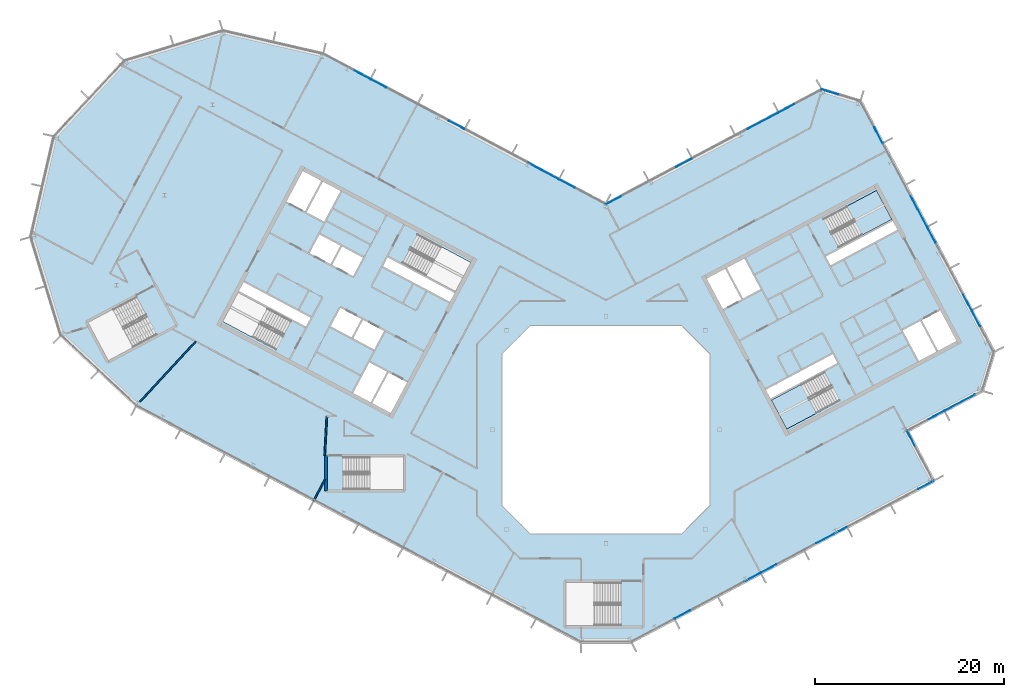
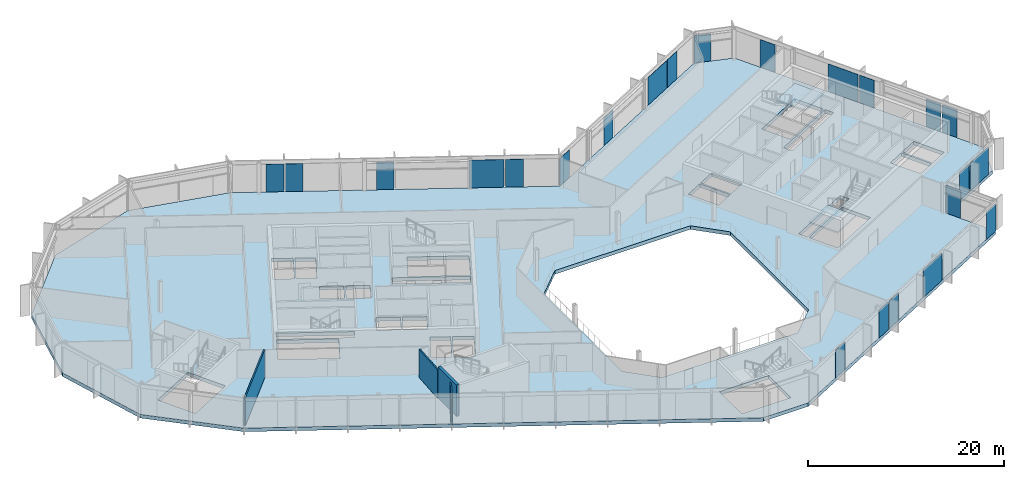
# One storey, part 12 of 26: 23 plates, 4 walls, 3 slabs, 9 elements without a shape of their own.
"""IFC4 building model written with IfcOpenShell, lengths in metres."""

from ifc_helpers import new_model, si_unit, direction, frame, frame_2d, origin, origin_2d, place, context, subcontext, project, spatial, polyline, rectangle, outline, extrude, material, layer, layer_set, type_object, element, aggregate, save


model = new_model("IFC4")

# Units and contexts
model_context = context("Model", 3, precision=1e-05, world=origin(), true_north=direction((0.0, 1.0)))
body_context = subcontext(model_context, "Body", "Model", "MODEL_VIEW")
ifc_project = project(units=[si_unit("LENGTHUNIT", "METRE"), si_unit("AREAUNIT", "SQUARE_METRE"), si_unit("VOLUMEUNIT", "CUBIC_METRE"), si_unit("PLANEANGLEUNIT", "RADIAN"), si_unit("MASSUNIT", "GRAM", prefix="KILO")], contexts=[model_context])

# Site, building, storey
site_placement = place(None, origin())
site = spatial("IfcSite", under=ifc_project, at=site_placement, CompositionType="ELEMENT")
building_placement = place(site_placement, origin())
building = spatial("IfcBuilding", under=site, at=building_placement, Name="Cormorant Relay Tower", CompositionType="ELEMENT")
storey_placement = place(building_placement, frame((0.0, 0.0, 320.39990234375)))
storey = spatial("IfcBuildingStorey", under=building, at=storey_placement, Name="L73", CompositionType="ELEMENT", Elevation=320.39990234375)

# Curtain wall, plates
ifc_material_1 = material(Name="Aluminium 6063-T6 anodised bronze", Category="aluminium")
ifc_layer_1 = layer(ifc_material_1, 0.199951171875)
ifc_layer_set_1 = layer_set([ifc_layer_1], Name="CW1 unitised bronze curtain wall with vertical fins")
curtain_wall_type = type_object("IfcCurtainWallType", Name="CW1 unitised bronze curtain wall with vertical fins", PredefinedType="NOTDEFINED", material=ifc_layer_set_1)
curtain_wall_1_placement = place(storey_placement, origin())
curtain_wall_1 = element("IfcCurtainWall", 1, at=curtain_wall_1_placement, inside=storey, type_object=curtain_wall_type, Name="CW1 curtain wall 2", PredefinedType="NOTDEFINED")
ifc_material_2 = material(Name="Tinted laminated glass", Category="glass")
ifc_layer_2 = layer(ifc_material_2, 0.0400390625)
ifc_layer_set_2 = layer_set([ifc_layer_2], Name="CW1 tinted vision panel 1800 module")
plate_type_1 = type_object("IfcPlateType", Name="CW1 tinted vision panel 1800 module", PredefinedType="CURTAIN_PANEL", material=ifc_layer_set_2)
plate_1_placement = place(storey_placement, frame((8.080810546875, -19.510009765625, 0.0), z_axis=(0.0, 0.0, 1.0), x_axis=(0.882947592859, 0.469471562786, 0.0)))
plate_1 = element("IfcPlate", 2, at=plate_1_placement, type_object=plate_type_1, Name="CW1 panel V01", PredefinedType="CURTAIN_PANEL", context=body_context, shape_type="SweptSolid", body=[
    extrude(rectangle(XDim=1.800048828125, YDim=0.0400390625, at=origin_2d()), origin(), (0.0, 0.0, 1.0), 3.449951171875),
])
plate_2_placement = place(storey_placement, frame((15.48291015625, -15.57421875, 0.0), z_axis=(0.0, 0.0, 1.0), x_axis=(0.882947592859, 0.469471562786, 0.0)))
plate_2 = element("IfcPlate", 3, at=plate_2_placement, type_object=plate_type_1, Name="CW1 panel V03", PredefinedType="CURTAIN_PANEL", context=body_context, shape_type="SweptSolid", body=[
    extrude(rectangle(XDim=1.800048828125, YDim=0.0400390625, at=origin_2d()), origin(), (0.0, 0.0, 1.0), 3.449951171875),
])
plate_3_placement = place(storey_placement, frame((17.20458984375, -14.65869140625, 0.0), z_axis=(0.0, 0.0, 1.0), x_axis=(0.882947592859, 0.469471562786, 0.0)))
plate_3 = element("IfcPlate", 4, at=plate_3_placement, type_object=plate_type_1, Name="CW1 panel V04", PredefinedType="CURTAIN_PANEL", context=body_context, shape_type="SweptSolid", body=[
    extrude(rectangle(XDim=1.800048828125, YDim=0.0400390625, at=origin_2d()), origin(), (0.0, 0.0, 1.0), 3.449951171875),
])
plate_4_placement = place(storey_placement, frame((33.796142578125, -5.8369140625, 0.0), z_axis=(0.0, 0.0, 1.0), x_axis=(0.882947592859, 0.469471562786, 0.0)))
plate_4 = element("IfcPlate", 5, at=plate_4_placement, type_object=plate_type_1, Name="CW1 panel V08", PredefinedType="CURTAIN_PANEL", context=body_context, shape_type="SweptSolid", body=[
    extrude(rectangle(XDim=1.800048828125, YDim=0.0400390625, at=origin_2d()), origin(), (0.0, 0.0, 1.0), 3.449951171875),
])

# Curtain wall, plate
curtain_wall_2_placement = place(storey_placement, origin())
curtain_wall_2 = element("IfcCurtainWall", 6, at=curtain_wall_2_placement, inside=storey, type_object=curtain_wall_type, Name="CW1 curtain wall 3", PredefinedType="NOTDEFINED")
plate_5_placement = place(storey_placement, frame((32.204833984375, -0.88427734375, 0.0), z_axis=(0.0, 0.0, 1.0), x_axis=(-0.469471562786, 0.882947592859, 0.0)))
plate_5 = element("IfcPlate", 7, at=plate_5_placement, type_object=plate_type_1, Name="CW1 panel V01", PredefinedType="CURTAIN_PANEL", context=body_context, shape_type="SweptSolid", body=[
    extrude(rectangle(XDim=1.800048828125, YDim=0.0400390625, at=origin_2d()), origin(), (0.0, 0.0, 1.0), 3.449951171875),
])
aggregate(curtain_wall_2, [plate_5])

curtain_wall_3_placement = place(storey_placement, origin())
curtain_wall_3 = element("IfcCurtainWall", 8, at=curtain_wall_3_placement, inside=storey, type_object=curtain_wall_type, Name="CW1 curtain wall 4", PredefinedType="NOTDEFINED")
plate_6_placement = place(storey_placement, frame((34.886474609375, 1.5380859375, 0.0), z_axis=(0.0, 0.0, 1.0), x_axis=(0.882947592859, 0.469471562786, 0.0)))
plate_6 = element("IfcPlate", 9, at=plate_6_placement, type_object=plate_type_1, Name="CW1 panel V01", PredefinedType="CURTAIN_PANEL", context=body_context, shape_type="SweptSolid", body=[
    extrude(rectangle(XDim=1.800048828125, YDim=0.0400390625, at=origin_2d()), origin(), (0.0, 0.0, 1.0), 3.449951171875),
])

# Curtain wall, plates
curtain_wall_4_placement = place(storey_placement, origin())
curtain_wall_4 = element("IfcCurtainWall", 10, at=curtain_wall_4_placement, inside=storey, type_object=curtain_wall_type, Name="CW1 curtain wall 6", PredefinedType="NOTDEFINED")
plate_7_placement = place(storey_placement, frame((39.07958984375, 11.74658203125, 0.0), z_axis=(0.0, 0.0, 1.0), x_axis=(-0.469471562786, 0.882947592859, 0.0)))
plate_7 = element("IfcPlate", 11, at=plate_7_placement, type_object=plate_type_1, Name="CW1 panel V01", PredefinedType="CURTAIN_PANEL", context=body_context, shape_type="SweptSolid", body=[
    extrude(rectangle(XDim=1.800048828125, YDim=0.0400390625, at=origin_2d()), origin(), (0.0, 0.0, 1.0), 3.449951171875),
])
plate_8_placement = place(storey_placement, frame((38.1640625, 13.468505859375, 0.0), z_axis=(0.0, 0.0, 1.0), x_axis=(-0.469471562786, 0.882947592859, 0.0)))
plate_8 = element("IfcPlate", 12, at=plate_8_placement, type_object=plate_type_1, Name="CW1 panel V02", PredefinedType="CURTAIN_PANEL", context=body_context, shape_type="SweptSolid", body=[
    extrude(rectangle(XDim=1.800048828125, YDim=0.0400390625, at=origin_2d()), origin(), (0.0, 0.0, 1.0), 3.449951171875),
])
plate_9_placement = place(storey_placement, frame((34.385009765625, 20.576171875, 0.0), z_axis=(0.0, 0.0, 1.0), x_axis=(-0.469471562786, 0.882947592859, 0.0)))
plate_9 = element("IfcPlate", 13, at=plate_9_placement, type_object=plate_type_1, Name="CW1 panel V04", PredefinedType="CURTAIN_PANEL", context=body_context, shape_type="SweptSolid", body=[
    extrude(rectangle(XDim=1.800048828125, YDim=0.0400390625, at=origin_2d()), origin(), (0.0, 0.0, 1.0), 3.449951171875),
])
plate_10_placement = place(storey_placement, frame((28.774658203125, 31.12744140625, 0.0), z_axis=(0.0, 0.0, 1.0), x_axis=(-0.469471562786, 0.882947592859, 0.0)))
plate_10 = element("IfcPlate", 14, at=plate_10_placement, type_object=plate_type_1, Name="CW1 panel V07", PredefinedType="CURTAIN_PANEL", context=body_context, shape_type="SweptSolid", body=[
    extrude(rectangle(XDim=1.800048828125, YDim=0.0400390625, at=origin_2d()), origin(), (0.0, 0.0, 1.0), 3.449951171875),
])

# Curtain wall, plate
curtain_wall_5_placement = place(storey_placement, origin())
curtain_wall_5 = element("IfcCurtainWall", 15, at=curtain_wall_5_placement, inside=storey, type_object=curtain_wall_type, Name="CW1 curtain wall 7", PredefinedType="NOTDEFINED")
plate_11_placement = place(storey_placement, frame((23.6767578125, 35.668212890625, 0.0), z_axis=(0.0, 0.0, 1.0), x_axis=(-0.956304755963, 0.292371704723, 0.0)))
plate_11 = element("IfcPlate", 16, at=plate_11_placement, type_object=plate_type_1, Name="CW1 panel V01", PredefinedType="CURTAIN_PANEL", context=body_context, shape_type="SweptSolid", body=[
    extrude(rectangle(XDim=1.800048828125, YDim=0.0400390625, at=origin_2d()), origin(), (0.0, 0.0, 1.0), 3.449951171875),
])
aggregate(curtain_wall_5, [plate_11])

# Curtain wall, plates
curtain_wall_6_placement = place(storey_placement, origin())
curtain_wall_6 = element("IfcCurtainWall", 17, at=curtain_wall_6_placement, inside=storey, type_object=curtain_wall_type, Name="CW1 curtain wall 8", PredefinedType="NOTDEFINED")
plate_12_placement = place(storey_placement, frame((19.099609375, 33.962158203125, 0.0), z_axis=(0.0, 0.0, 1.0), x_axis=(-0.882947592859, -0.469471562786, 0.0)))
plate_12 = element("IfcPlate", 18, at=plate_12_placement, type_object=plate_type_1, Name="CW1 panel V01", PredefinedType="CURTAIN_PANEL", context=body_context, shape_type="SweptSolid", body=[
    extrude(rectangle(XDim=1.800048828125, YDim=0.0400390625, at=origin_2d()), origin(), (0.0, 0.0, 1.0), 3.449951171875),
])
plate_13_placement = place(storey_placement, frame((8.25390625, 28.1953125, 0.0), z_axis=(0.0, 0.0, 1.0), x_axis=(-0.882947592859, -0.469471562786, 0.0)))
plate_13 = element("IfcPlate", 19, at=plate_13_placement, type_object=plate_type_1, Name="CW1 panel V04", PredefinedType="CURTAIN_PANEL", context=body_context, shape_type="SweptSolid", body=[
    extrude(rectangle(XDim=1.800048828125, YDim=0.0400390625, at=origin_2d()), origin(), (0.0, 0.0, 1.0), 3.449951171875),
])
plate_14_placement = place(storey_placement, frame((0.785400390625, 24.22412109375, 0.0), z_axis=(0.0, 0.0, 1.0), x_axis=(-0.882947592859, -0.469471562786, 0.0)))
plate_14 = element("IfcPlate", 20, at=plate_14_placement, type_object=plate_type_1, Name="CW1 panel V06", PredefinedType="CURTAIN_PANEL", context=body_context, shape_type="SweptSolid", body=[
    extrude(rectangle(XDim=1.800048828125, YDim=0.0400390625, at=origin_2d()), origin(), (0.0, 0.0, 1.0), 3.449951171875),
])

curtain_wall_7_placement = place(storey_placement, origin())
curtain_wall_7 = element("IfcCurtainWall", 21, at=curtain_wall_7_placement, inside=storey, type_object=curtain_wall_type, Name="CW1 curtain wall 9", PredefinedType="NOTDEFINED")
plate_15_placement = place(storey_placement, frame((-4.108642578125, 25.9912109375, 0.0), z_axis=(0.0, 0.0, 1.0), x_axis=(-0.882947592859, 0.469471562786, 0.0)))
plate_15 = element("IfcPlate", 22, at=plate_15_placement, type_object=plate_type_1, Name="CW1 panel V01", PredefinedType="CURTAIN_PANEL", context=body_context, shape_type="SweptSolid", body=[
    extrude(rectangle(XDim=1.800048828125, YDim=0.0400390625, at=origin_2d()), origin(), (0.0, 0.0, 1.0), 3.449951171875),
])
plate_16_placement = place(storey_placement, frame((-15.788330078125, 32.201416015625, 0.0), z_axis=(0.0, 0.0, 1.0), x_axis=(-0.882947592859, 0.469471562786, 0.0)))
plate_16 = element("IfcPlate", 23, at=plate_16_placement, type_object=plate_type_1, Name="CW1 panel V04", PredefinedType="CURTAIN_PANEL", context=body_context, shape_type="SweptSolid", body=[
    extrude(rectangle(XDim=1.800048828125, YDim=0.0400390625, at=origin_2d()), origin(), (0.0, 0.0, 1.0), 3.449951171875),
])
plate_17_placement = place(storey_placement, frame((-24.0244140625, 36.580810546875, 0.0), z_axis=(0.0, 0.0, 1.0), x_axis=(-0.882947592859, 0.469471562786, 0.0)))
plate_17 = element("IfcPlate", 24, at=plate_17_placement, type_object=plate_type_1, Name="CW1 panel V06", PredefinedType="CURTAIN_PANEL", context=body_context, shape_type="SweptSolid", body=[
    extrude(rectangle(XDim=1.800048828125, YDim=0.0400390625, at=origin_2d()), origin(), (0.0, 0.0, 1.0), 3.449951171875),
])
plate_18_placement = place(storey_placement, frame((-25.746337890625, 37.49609375, 0.0), z_axis=(0.0, 0.0, 1.0), x_axis=(-0.882947592859, 0.469471562786, 0.0)))
plate_18 = element("IfcPlate", 25, at=plate_18_placement, type_object=plate_type_1, Name="CW1 panel V07", PredefinedType="CURTAIN_PANEL", context=body_context, shape_type="SweptSolid", body=[
    extrude(rectangle(XDim=1.800048828125, YDim=0.0400390625, at=origin_2d()), origin(), (0.0, 0.0, 1.0), 3.449951171875),
])

# Plate
ifc_material_3 = material(Name="Tinted laminated glass", Category="glass")
ifc_layer_3 = layer(ifc_material_3, 0.0400390625)
ifc_layer_set_3 = layer_set([ifc_layer_3], Name="CW1 tinted vision panel 3600 module")
plate_type_2 = type_object("IfcPlateType", Name="CW1 tinted vision panel 3600 module", PredefinedType="CURTAIN_PANEL", material=ifc_layer_set_3)
plate_19_placement = place(storey_placement, frame((23.811767578125, -11.145751953125, 0.0), z_axis=(0.0, 0.0, 1.0), x_axis=(0.882947592859, 0.469471562786, 0.0)))
plate_19 = element("IfcPlate", 26, at=plate_19_placement, type_object=plate_type_2, Name="CW1 panel V06", PredefinedType="CURTAIN_PANEL", context=body_context, shape_type="SweptSolid", body=[
    extrude(rectangle(XDim=3.60009765625, YDim=0.0400390625, at=origin_2d()), origin(), (0.0, 0.0, 1.0), 3.449951171875),
])

aggregate(curtain_wall_1, [plate_1, plate_2, plate_3, plate_19, plate_4])

plate_20_placement = place(storey_placement, frame((37.40283203125, 2.876220703125, 0.0), z_axis=(0.0, 0.0, 1.0), x_axis=(0.882947592859, 0.469471562786, 0.0)))
plate_20 = element("IfcPlate", 27, at=plate_20_placement, type_object=plate_type_2, Name="CW1 panel V02", PredefinedType="CURTAIN_PANEL", context=body_context, shape_type="SweptSolid", body=[
    extrude(rectangle(XDim=3.60009765625, YDim=0.0400390625, at=origin_2d()), origin(), (0.0, 0.0, 1.0), 3.449951171875),
])

aggregate(curtain_wall_3, [plate_6, plate_20])

plate_21_placement = place(storey_placement, frame((33.046875, 23.092529296875, 0.0), z_axis=(0.0, 0.0, 1.0), x_axis=(-0.469471562786, 0.882947592859, 0.0)))
plate_21 = element("IfcPlate", 28, at=plate_21_placement, type_object=plate_type_2, Name="CW1 panel V05", PredefinedType="CURTAIN_PANEL", context=body_context, shape_type="SweptSolid", body=[
    extrude(rectangle(XDim=3.60009765625, YDim=0.0400390625, at=origin_2d()), origin(), (0.0, 0.0, 1.0), 3.449951171875),
])

aggregate(curtain_wall_4, [plate_7, plate_8, plate_9, plate_21, plate_10])

plate_22_placement = place(storey_placement, frame((16.583251953125, 32.6240234375, 0.0), z_axis=(0.0, 0.0, 1.0), x_axis=(-0.882947592859, -0.469471562786, 0.0)))
plate_22 = element("IfcPlate", 29, at=plate_22_placement, type_object=plate_type_2, Name="CW1 panel V02", PredefinedType="CURTAIN_PANEL", context=body_context, shape_type="SweptSolid", body=[
    extrude(rectangle(XDim=3.60009765625, YDim=0.0400390625, at=origin_2d()), origin(), (0.0, 0.0, 1.0), 3.449951171875),
])

aggregate(curtain_wall_6, [plate_12, plate_22, plate_13, plate_14])

plate_23_placement = place(storey_placement, frame((-6.625, 27.3291015625, 0.0), z_axis=(0.0, 0.0, 1.0), x_axis=(-0.882947592859, 0.469471562786, 0.0)))
plate_23 = element("IfcPlate", 30, at=plate_23_placement, type_object=plate_type_2, Name="CW1 panel V02", PredefinedType="CURTAIN_PANEL", context=body_context, shape_type="SweptSolid", body=[
    extrude(rectangle(XDim=3.60009765625, YDim=0.0400390625, at=origin_2d()), origin(), (0.0, 0.0, 1.0), 3.449951171875),
])

aggregate(curtain_wall_7, [plate_15, plate_23, plate_16, plate_17, plate_18])

# Stair, slab
ifc_material_4 = material(Name="Concrete 40 MPa", Category="concrete")
stair_type = type_object("IfcStairType", Name="Exit stair 1500", PredefinedType="HALF_TURN_STAIR", material=ifc_material_4)
stair_1_placement = place(storey_placement, origin())
stair_1 = element("IfcStair", 31, at=stair_1_placement, inside=storey, type_object=stair_type, Name="L73 Stair", PredefinedType="HALF_TURN_STAIR")
ifc_material_5 = material(Name="Concrete 40 MPa", Category="concrete")
ifc_layer_4 = layer(ifc_material_5, 0.199951171875)
ifc_layer_set_4 = layer_set([ifc_layer_4], Name="Exit stair landing 200")
slab_type_1 = type_object("IfcSlabType", Name="Exit stair landing 200", PredefinedType="LANDING", material=ifc_layer_set_4)
slab_1_placement = place(storey_placement, frame((0.0, 0.0, 1.75)))
slab_1 = element("IfcSlab", 32, at=slab_1_placement, type_object=slab_type_1, Name="B1 landing 1", PredefinedType="LANDING", context=body_context, shape_type="SweptSolid", body=[
    extrude(outline(polyline([(20.614990234375, 4.78857421875), (17.48046875, 3.1220703125), (19.10009765625, 0.075927734375), (22.234619140625, 1.742431640625), (20.614990234375, 4.78857421875)])), origin(), (0.0, 0.0, 1.0), 0.2001953125),
])
aggregate(stair_1, [slab_1])

stair_2_placement = place(storey_placement, origin())
stair_2 = element("IfcStair", 33, at=stair_2_placement, inside=storey, type_object=stair_type, Name="L73 Stair", PredefinedType="HALF_TURN_STAIR")
slab_2_placement = place(storey_placement, frame((0.0, 0.0, 1.75)))
slab_2 = element("IfcSlab", 34, at=slab_2_placement, type_object=slab_type_1, Name="B2 landing 1", PredefinedType="LANDING", context=body_context, shape_type="SweptSolid", body=[
    extrude(outline(polyline([(27.064208984375, 20.562744140625), (30.19873046875, 22.2294921875), (28.5791015625, 25.275634765625), (25.444580078125, 23.60888671875), (27.064208984375, 20.562744140625)])), origin(), (0.0, 0.0, 1.0), 0.2001953125),
])
aggregate(stair_2, [slab_2])

# Slab
ifc_material_6 = material(Name="Concrete 40 MPa", Category="concrete")
ifc_layer_5 = layer(ifc_material_6, 0.449951171875)
ifc_layer_set_5 = layer_set([ifc_layer_5], Name="Flat plate 450")
slab_type_2 = type_object("IfcSlabType", Name="Flat plate 450", PredefinedType="FLOOR", material=ifc_layer_set_5)
slab_3_placement = place(storey_placement, frame((0.0, 0.0, -0.449951171875)))
element("IfcSlab", 35, at=slab_3_placement, inside=storey, type_object=slab_type_2, Name="Floor slab L73", PredefinedType="FLOOR", context=body_context, shape_type="SweptSolid", body=[
    extrude(outline(polyline([(-60.7197265625, 20.393310546875), (-58.2744140625, 30.985107421875), (-50.86083984375, 38.935302734375), (-40.465576171875, 42.11328125), (-29.873779296875, 39.668212890625), (0.0, 23.783935546875), (22.810302734375, 35.912353515625), (26.867431640625, 34.671875), (40.95166015625, 8.18359375), (39.711181640625, 4.126220703125), (31.7646484375, -0.09912109375), (34.581298828125, -5.396728515625), (2.648681640625, -22.37548828125), (-2.648681640625, -22.37548828125), (-49.591552734375, 2.584228515625), (-57.541748046875, 9.997802734375), (-60.7197265625, 20.393310546875)]), holes=[polyline([(11.0, -8.0), (11.0, 8.0), (8.0, 11.0), (-8.0, 11.0), (-11.0, 8.0), (-11.0, -8.0), (-8.0, -11.0), (8.0, -11.0), (11.0, -8.0)]), polyline([(-22.95458984375, 6.03271484375), (-24.668212890625, 2.81005859375), (-22.725830078125, 1.777099609375), (-21.01220703125, 5.0), (-23.04296875, 6.07958984375), (-22.95458984375, 6.03271484375)]), polyline([(-24.985595703125, 7.112548828125), (-26.69921875, 3.889892578125), (-24.844970703125, 2.90380859375), (-23.13134765625, 6.126708984375), (-23.04296875, 6.07958984375), (-24.985595703125, 7.112548828125)]), polyline([(-24.481201171875, 8.48681640625), (-23.448486328125, 10.42919921875), (-25.656005859375, 11.602783203125), (-26.688720703125, 9.660400390625), (-24.481201171875, 8.48681640625)]), polyline([(-49.57861328125, 14.0537109375), (-54.69970703125, 11.330810546875), (-52.563720703125, 7.3134765625), (-47.442626953125, 10.036376953125), (-49.57861328125, 14.0537109375)]), polyline([(-25.83251953125, 11.69677734375), (-28.039794921875, 12.870361328125), (-29.07275390625, 10.927978515625), (-26.865234375, 9.75439453125), (-25.83251953125, 11.69677734375)]), polyline([(-38.847900390625, 14.483154296875), (-40.46728515625, 11.43701171875), (-34.860595703125, 8.455810546875), (-33.240966796875, 11.502197265625), (-38.847900390625, 14.483154296875)]), polyline([(-38.260986328125, 15.5869140625), (-38.75390625, 14.659912109375), (-31.690185546875, 10.904052734375), (-31.197265625, 11.8310546875), (-38.260986328125, 15.5869140625)]), polyline([(-26.702880859375, 16.23681640625), (-25.670166015625, 18.17919921875), (-27.87744140625, 19.35302734375), (-28.910400390625, 17.410400390625), (-26.702880859375, 16.23681640625)]), polyline([(-31.294189453125, 18.677978515625), (-29.0869140625, 17.50439453125), (-28.053955078125, 19.447021484375), (-30.261474609375, 20.62060546875), (-31.294189453125, 18.677978515625)]), polyline([(-31.611572265625, 22.980712890625), (-29.75732421875, 21.99462890625), (-28.043701171875, 25.217529296875), (-29.89794921875, 26.203369140625), (-31.611572265625, 22.980712890625)]), polyline([(-32.01708984375, 27.330078125), (-33.73046875, 24.107421875), (-31.7880859375, 23.074462890625), (-30.074462890625, 26.29736328125), (-32.01708984375, 27.330078125)]), polyline([(-4.199951171875, -16.125), (-4.199951171875, -20.675048828125), (1.60009765625, -20.675048828125), (1.60009765625, -16.125), (-4.199951171875, -16.125)]), polyline([(17.48046875, 3.1220703125), (19.10009765625, 0.07568359375), (24.706787109375, 3.056884765625), (23.087158203125, 6.10302734375), (17.48046875, 3.1220703125)]), polyline([(17.386474609375, 3.298583984375), (24.4501953125, 7.054443359375), (23.957275390625, 7.9814453125), (16.8935546875, 4.2255859375), (17.386474609375, 3.298583984375)]), polyline([(33.197021484375, 11.478515625), (31.3427734375, 10.49267578125), (33.056396484375, 7.27001953125), (34.910400390625, 8.255859375), (33.197021484375, 11.478515625)]), polyline([(33.37353515625, 11.572509765625), (35.087158203125, 8.349609375), (37.029541015625, 9.382568359375), (35.31591796875, 12.605224609375), (33.37353515625, 11.572509765625)]), polyline([(14.3056640625, 13.779052734375), (12.592041015625, 17.001708984375), (10.649658203125, 15.968994140625), (12.36328125, 12.74609375), (14.39404296875, 13.825927734375), (14.3056640625, 13.779052734375)]), polyline([(16.33642578125, 14.85888671875), (14.622802734375, 18.08154296875), (12.768798828125, 17.095703125), (14.482421875, 13.872802734375), (14.39404296875, 13.825927734375), (16.33642578125, 14.85888671875)]), polyline([(-16.481689453125, 13.520263671875), (-15.989013671875, 14.447509765625), (-23.052490234375, 18.203125), (-23.54541015625, 17.276123046875), (-16.481689453125, 13.520263671875)]), polyline([(-15.89501953125, 14.6240234375), (-14.275390625, 17.670166015625), (-19.882080078125, 20.6513671875), (-21.501708984375, 17.605224609375), (-15.89501953125, 14.6240234375)]), polyline([(30.78564453125, 21.125732421875), (30.29248046875, 22.052978515625), (23.22900390625, 18.297119140625), (23.721923828125, 17.3701171875), (30.78564453125, 21.125732421875)]), polyline([(24.592041015625, 19.248291015625), (30.19873046875, 22.2294921875), (28.5791015625, 25.275634765625), (22.972412109375, 22.29443359375), (24.592041015625, 19.248291015625)])]), origin(), (0.0, 0.0, 1.0), 0.449951171875),
])

# Walls
ifc_material_7 = material(Name="Gypsum board fire partition")
ifc_layer_6 = layer(ifc_material_7, 0.14990234375)
ifc_layer_set_6 = layer_set([ifc_layer_6], Name="Corridor partition 150 EI 60")
wall_type_1 = type_object("IfcWallType", Name="Corridor partition 150 EI 60", PredefinedType="PARTITIONING", material=ifc_layer_set_6)
wall_1_placement = place(storey_placement, frame((-29.70849609375, -2.720703125, 0.0), z_axis=(0.0, 0.0, 1.0), x_axis=(0.056209208886, 0.998419012658, 0.0)))
element("IfcWall", 36, at=wall_1_placement, inside=storey, type_object=wall_type_1, Name="wall/L73/part/020", PredefinedType="PARTITIONING", context=body_context, shape_type="SweptSolid", body=[
    extrude(rectangle(XDim=4.15234375, YDim=0.14990234375, at=frame_2d((2.076171875, 0.0))), origin(), (0.0, 0.0, 1.0), 3.5400390625),
])
ifc_material_8 = material(Name="Concrete 50 MPa", Category="concrete")
ifc_layer_7 = layer(ifc_material_8, 0.300048828125)
ifc_layer_set_7 = layer_set([ifc_layer_7], Name="Remote stair wall 300")
wall_type_2 = type_object("IfcWallType", Name="Remote stair wall 300", PredefinedType="SHEAR", material=ifc_layer_set_7)
wall_2_placement = place(storey_placement, frame((-29.550048828125, -6.47509765625, 0.0), z_axis=(0.0, 0.0, 1.0), x_axis=(0.0, 1.0, 0.0)))
element("IfcWall", 37, at=wall_2_placement, inside=storey, type_object=wall_type_2, Name="L73 exit stair RC1 wall", PredefinedType="SHEAR", context=body_context, shape_type="SweptSolid", body=[
    extrude(rectangle(XDim=3.75, YDim=0.300048828125, at=frame_2d((1.875, 0.0))), origin(), (0.0, 0.0, 1.0), 3.900146484375),
])
ifc_material_9 = material(Name="Gypsum board partition")
ifc_layer_8 = layer(ifc_material_9, 0.14990234375)
ifc_layer_set_8 = layer_set([ifc_layer_8], Name="Tenant partition 150")
wall_type_3 = type_object("IfcWallType", Name="Tenant partition 150", PredefinedType="PARTITIONING", material=ifc_layer_set_8)
wall_3_placement = place(storey_placement, frame((-43.30810546875, 9.322998046875, 0.0), z_axis=(0.0, 0.0, 1.0), x_axis=(-0.681957743037, -0.7313915755, 0.0)))
element("IfcWall", 38, at=wall_3_placement, inside=storey, type_object=wall_type_3, Name="wall/L73/part/006", PredefinedType="PARTITIONING", context=body_context, shape_type="SweptSolid", body=[
    extrude(rectangle(XDim=8.736572265625, YDim=0.14990234375, at=frame_2d((4.3681640625, 0.0))), origin(), (0.0, 0.0, 1.0), 3.5400390625),
])
wall_4_placement = place(storey_placement, frame((-29.677001953125, -5.259033203125, 0.0), z_axis=(0.0, 0.0, 1.0), x_axis=(-0.469186976584, -0.883098851207, 0.0)))
element("IfcWall", 39, at=wall_4_placement, inside=storey, type_object=wall_type_3, Name="wall/L73/part/018", PredefinedType="PARTITIONING", context=body_context, shape_type="SweptSolid", body=[
    extrude(rectangle(XDim=2.62353515625, YDim=0.14990234375, at=frame_2d((1.311767578125, 0.0))), origin(), (0.0, 0.0, 1.0), 3.5400390625),
])

save(model, "model.ifc")
